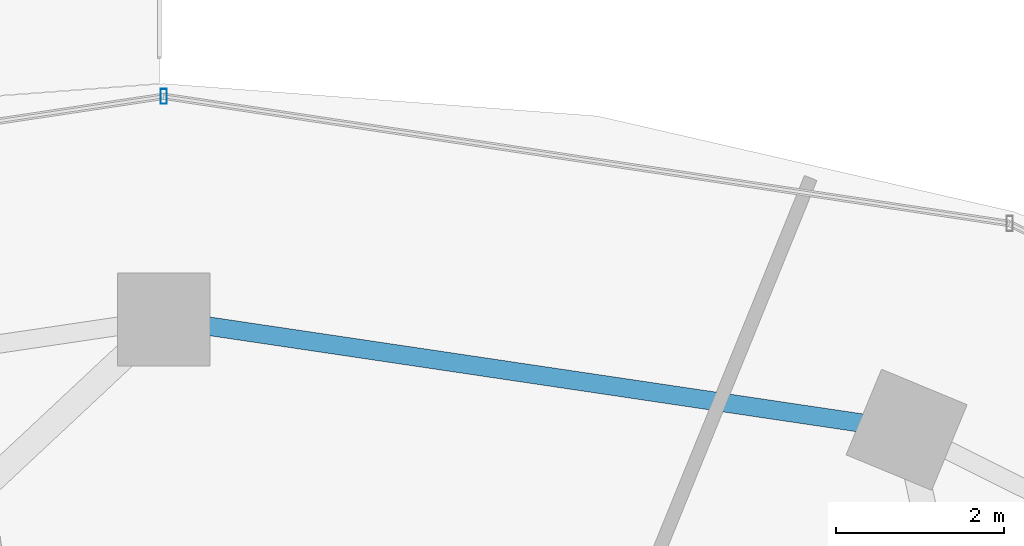
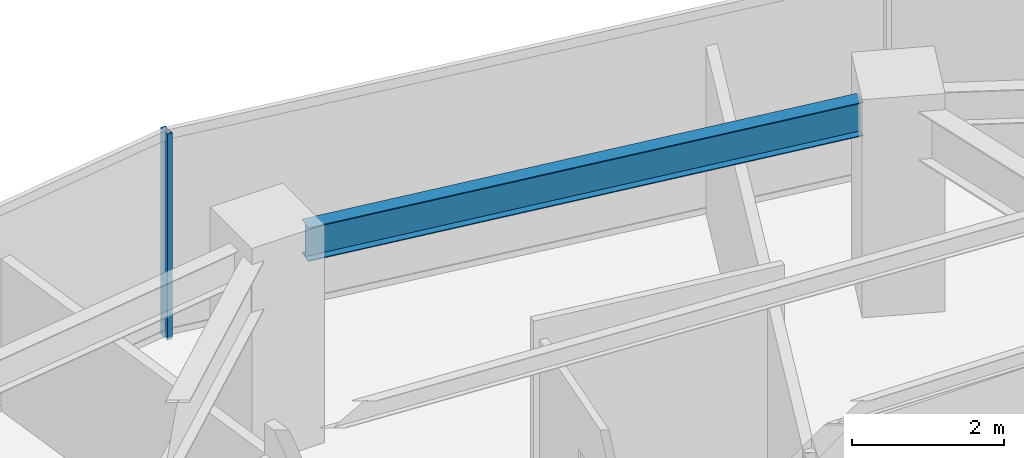
# One storey, part 18 of 30: 1 beam, 1 member, 1 element without a shape of its own.
"""IFC4 building model written with IfcOpenShell, lengths in metres."""

from ifc_helpers import new_model, si_unit, direction, frame, origin, origin_2d, place, context, subcontext, project, spatial, hollow_rectangle, i_section, extrude, material, material_profile, profile_set, type_object, element, aggregate, save


model = new_model("IFC4")

# Units and contexts
model_context = context("Model", 3, precision=1e-05, world=origin(), true_north=direction((0.0, 1.0)))
body_context = subcontext(model_context, "Body", "Model", "MODEL_VIEW")
ifc_project = project(units=[si_unit("LENGTHUNIT", "METRE"), si_unit("AREAUNIT", "SQUARE_METRE"), si_unit("VOLUMEUNIT", "CUBIC_METRE"), si_unit("PLANEANGLEUNIT", "RADIAN"), si_unit("MASSUNIT", "GRAM", prefix="KILO")], contexts=[model_context])

# Site, building, storey
site_placement = place(None, origin())
site = spatial("IfcSite", under=ifc_project, at=site_placement, CompositionType="ELEMENT")
building_placement = place(site_placement, origin())
building = spatial("IfcBuilding", under=site, at=building_placement, Name="Vorneva Point Tower", CompositionType="ELEMENT")
storey_placement = place(building_placement, frame((0.0, 0.0, 96.300048828125)))
storey = spatial("IfcBuildingStorey", under=building, at=storey_placement, Name="L25", CompositionType="ELEMENT", Elevation=96.300048828125)

# Beam
ifc_material_1 = material(Name="Steel S355", Category="steel")
ifc_material_profile_1 = material_profile(ifc_material_1, i_section(OverallWidth=0.219970703125, OverallDepth=0.54296875, WebThickness=0.009521484375, FlangeThickness=0.013427734375, at=origin_2d()), Name="55B1")
ifc_profile_set_1 = profile_set([ifc_material_profile_1], Name="Steel S355")
beam_type = type_object("IfcBeamType", Name="BM-SPN-55B1", PredefinedType="SPANDREL", material=ifc_profile_set_1)
beam_placement = place(storey_placement, frame((46.291748046875, 41.96923828125, 2.968505859375), z_axis=(-0.989164507783, 0.146811363806, 0.0), x_axis=(-0.146811363806, -0.989164507783, 0.0)))
element("IfcBeam", 1, at=beam_placement, inside=storey, type_object=beam_type, Name="L25 Perimeter Spandrel Ring Beam 04", PredefinedType="SPANDREL", context=body_context, shape_type="SweptSolid", body=[
    extrude(i_section(OverallWidth=0.219970703125, OverallDepth=0.54296875, WebThickness=0.009521484375, FlangeThickness=0.013427734375, at=origin_2d()), origin(), (0.0, 0.0, 1.0), 7.847412109375),
])

# Curtain wall, member
ifc_material_2 = material(Name="Pale anodised aluminium", Category="aluminium")
curtain_wall_type = type_object("IfcCurtainWallType", Name="CW-HTL-SYS", PredefinedType="NOTDEFINED", material=ifc_material_2)
curtain_wall_placement = place(storey_placement, origin())
curtain_wall = element("IfcCurtainWall", 2, at=curtain_wall_placement, inside=storey, type_object=curtain_wall_type, Name="L25 Unitised Curtain Wall CW-L25-R02", PredefinedType="NOTDEFINED")
ifc_material_profile_2 = material_profile(ifc_material_2, hollow_rectangle(XDim=0.074951171875, YDim=0.179931640625, WallThickness=0.00390625, at=origin_2d()), Name="AL-MUL 180x75x4")
ifc_profile_set_2 = profile_set([ifc_material_profile_2], Name="Pale anodised aluminium")
member_type = type_object("IfcMemberType", Name="CW-MUL-180", PredefinedType="MULLION", material=ifc_profile_set_2)
member_placement = place(storey_placement, frame((38.0, 45.85009765625, -0.0400390625), z_axis=(0.0, 0.0, 1.0), x_axis=(1.0, 0.0, 0.0)))
member = element("IfcMember", 3, at=member_placement, type_object=member_type, Name="CW-L25-R02 Mullion 03", PredefinedType="MULLION", context=body_context, shape_type="SweptSolid", body=[
    extrude(hollow_rectangle(XDim=0.074951171875, YDim=0.179931640625, WallThickness=0.00390625, at=origin_2d()), origin(), (0.0, 0.0, 1.0), 3.31005859375),
])
aggregate(curtain_wall, [member])

save(model, "model.ifc")
